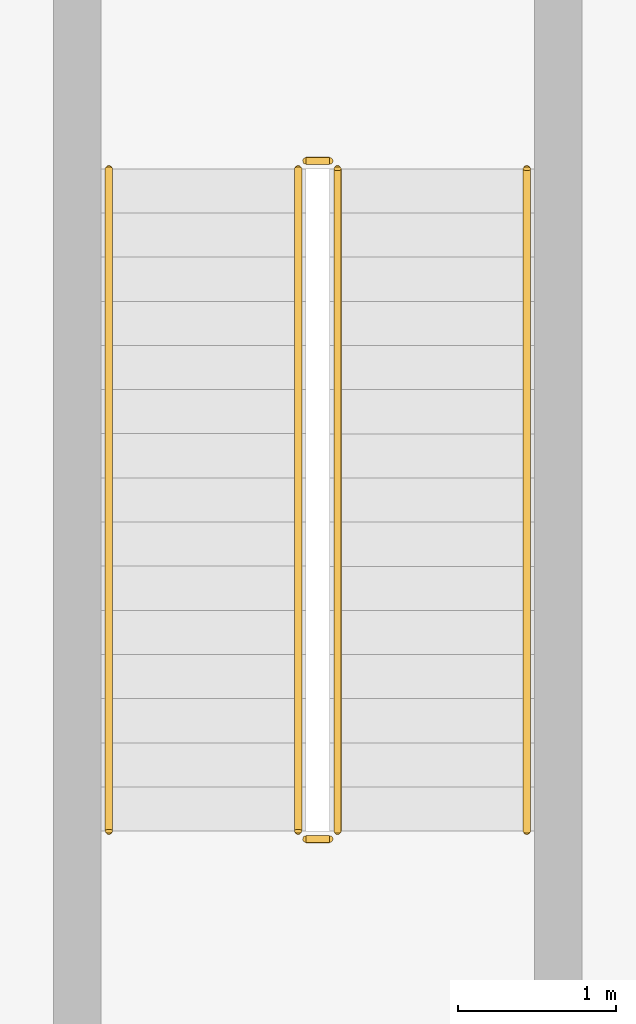
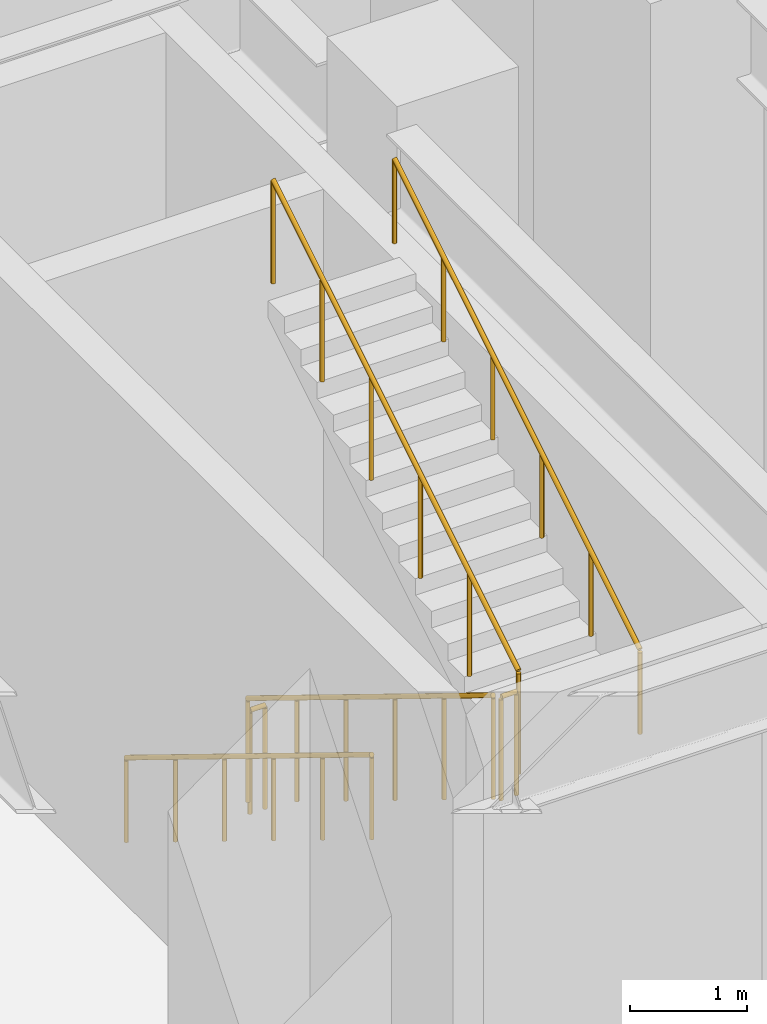
# One storey, part 26 of 30: 6 railings.
"""IFC4 building model written with IfcOpenShell, lengths in metres."""

from ifc_helpers import new_model, si_unit, direction, frame, origin, origin_2d, place, context, subcontext, project, spatial, circle, extrude, material, type_object, element, save


model = new_model("IFC4")

# Units and contexts
model_context = context("Model", 3, precision=1e-05, world=origin(), true_north=direction((0.0, 1.0)))
body_context = subcontext(model_context, "Body", "Model", "MODEL_VIEW")
ifc_project = project(units=[si_unit("LENGTHUNIT", "METRE"), si_unit("AREAUNIT", "SQUARE_METRE"), si_unit("VOLUMEUNIT", "CUBIC_METRE"), si_unit("PLANEANGLEUNIT", "RADIAN"), si_unit("MASSUNIT", "GRAM", prefix="KILO")], contexts=[model_context])

# Site, building, storey
site_placement = place(None, origin())
site = spatial("IfcSite", under=ifc_project, at=site_placement, CompositionType="ELEMENT")
building_placement = place(site_placement, origin())
building = spatial("IfcBuilding", under=site, at=building_placement, Name="Aloe Facet Convention Tower", CompositionType="ELEMENT")
storey_placement = place(building_placement, frame((0.0, 0.0, 19.5)))
storey = spatial("IfcBuildingStorey", under=building, at=storey_placement, Name="L03", CompositionType="ELEMENT", Elevation=19.5)

# Railings
ifc_material_1 = material(Name="Steel S355 balustrade", Category="steel")
railing_type_1 = type_object("IfcRailingType", Name="CR-RL-GUARD", PredefinedType="GUARDRAIL", material=ifc_material_1)
railing_1_placement = place(storey_placement, frame((73.875, 89.10009765625, 0.171875)))
element("IfcRailing", 1, at=railing_1_placement, inside=storey, type_object=railing_type_1, Name="L03 ST4 stair guard 1", PredefinedType="GUARDRAIL", context=body_context, shape_type="SweptSolid", body=[
    extrude(circle(Radius=0.02392578125, at=origin_2d()), frame((0.0, 0.0, 1.076171875), z_axis=(0.0, -0.852256472501, 0.523124177495), x_axis=(1.0, 0.0, 0.0)), (0.0, 0.0, 1.0), 4.92822265625),
    extrude(circle(Radius=0.02099609375, at=origin_2d()), origin(), (0.0, 0.0, 1.0), 1.052001953125),
    extrude(circle(Radius=0.02099609375, at=origin_2d()), frame((0.0, -0.840087890625, 0.515625)), (0.0, 0.0, 1.0), 1.052001953125),
    extrude(circle(Radius=0.02099609375, at=origin_2d()), frame((0.0, -1.68017578125, 1.03125)), (0.0, 0.0, 1.0), 1.052001953125),
    extrude(circle(Radius=0.02099609375, at=origin_2d()), frame((0.0, -2.52001953125, 1.546875)), (0.0, 0.0, 1.0), 1.052001953125),
    extrude(circle(Radius=0.02099609375, at=origin_2d()), frame((0.0, -3.360107421875, 2.0625)), (0.0, 0.0, 1.0), 1.052001953125),
    extrude(circle(Radius=0.02099609375, at=origin_2d()), frame((0.0, -4.2001953125, 2.578125)), (0.0, 0.0, 1.0), 1.052001953125),
])
railing_2_placement = place(storey_placement, frame((73.925048828125, 84.85009765625, 2.75)))
element("IfcRailing", 2, at=railing_2_placement, inside=storey, type_object=railing_type_1, Name="L03 ST4 stair guard 2", PredefinedType="GUARDRAIL", context=body_context, shape_type="SweptSolid", body=[
    extrude(circle(Radius=0.02392578125, at=origin_2d()), frame((0.0, 0.0, 1.076171875), z_axis=(1.0, 0.0, 0.0), x_axis=(0.0, 1.0, 0.0)), (0.0, 0.0, 1.0), 0.14990234375),
    extrude(circle(Radius=0.02099609375, at=origin_2d()), origin(), (0.0, 0.0, 1.0), 1.052001953125),
    extrude(circle(Radius=0.02099609375, at=origin_2d()), frame((0.14990234375, 0.0, 0.0)), (0.0, 0.0, 1.0), 1.052001953125),
])
railing_3_placement = place(storey_placement, frame((74.125, 84.89990234375, 2.921875)))
element("IfcRailing", 3, at=railing_3_placement, inside=storey, type_object=railing_type_1, Name="L03 ST4 stair guard 3", PredefinedType="GUARDRAIL", context=body_context, shape_type="SweptSolid", body=[
    extrude(circle(Radius=0.02392578125, at=origin_2d()), frame((0.0, 0.0, 1.076171875), z_axis=(0.0, 0.852256472501, 0.523124177495), x_axis=(-1.0, 0.0, 0.0)), (0.0, 0.0, 1.0), 4.92822265625),
    extrude(circle(Radius=0.02099609375, at=origin_2d()), origin(), (0.0, 0.0, 1.0), 1.052001953125),
    extrude(circle(Radius=0.02099609375, at=origin_2d()), frame((0.0, 0.840087890625, 0.515625)), (0.0, 0.0, 1.0), 1.052001953125),
    extrude(circle(Radius=0.02099609375, at=origin_2d()), frame((0.0, 1.68017578125, 1.03125)), (0.0, 0.0, 1.0), 1.052001953125),
    extrude(circle(Radius=0.02099609375, at=origin_2d()), frame((0.0, 2.52001953125, 1.546875)), (0.0, 0.0, 1.0), 1.052001953125),
    extrude(circle(Radius=0.02099609375, at=origin_2d()), frame((0.0, 3.360107421875, 2.0625)), (0.0, 0.0, 1.0), 1.052001953125),
    extrude(circle(Radius=0.02099609375, at=origin_2d()), frame((0.0, 4.2001953125, 2.578125)), (0.0, 0.0, 1.0), 1.052001953125),
])
railing_4_placement = place(storey_placement, frame((73.925048828125, 89.14990234375, 0.0)))
element("IfcRailing", 4, at=railing_4_placement, inside=storey, type_object=railing_type_1, Name="L03 ST4 stair guard 4", PredefinedType="GUARDRAIL", context=body_context, shape_type="SweptSolid", body=[
    extrude(circle(Radius=0.02392578125, at=origin_2d()), frame((0.0, 0.0, 1.076171875), z_axis=(1.0, 0.0, 0.0), x_axis=(0.0, 1.0, 0.0)), (0.0, 0.0, 1.0), 0.14990234375),
    extrude(circle(Radius=0.02099609375, at=origin_2d()), origin(), (0.0, 0.0, 1.0), 1.052001953125),
    extrude(circle(Radius=0.02099609375, at=origin_2d()), frame((0.14990234375, 0.0, 0.0)), (0.0, 0.0, 1.0), 1.052001953125),
])
ifc_material_2 = material(Name="Steel S355 handrail", Category="steel")
railing_type_2 = type_object("IfcRailingType", Name="CR-RL-HAND", PredefinedType="HANDRAIL", material=ifc_material_2)
railing_5_placement = place(storey_placement, frame((72.675048828125, 89.10009765625, 0.171875)))
element("IfcRailing", 5, at=railing_5_placement, inside=storey, type_object=railing_type_2, Name="L03 ST4 stair handrail 1", PredefinedType="HANDRAIL", context=body_context, shape_type="SweptSolid", body=[
    extrude(circle(Radius=0.02392578125, at=origin_2d()), frame((0.0, 0.0, 0.8759765625), z_axis=(0.0, -0.852256472501, 0.523124177495), x_axis=(1.0, 0.0, 0.0)), (0.0, 0.0, 1.0), 4.92822265625),
    extrude(circle(Radius=0.02099609375, at=origin_2d()), origin(), (0.0, 0.0, 1.0), 0.851806640625),
    extrude(circle(Radius=0.02099609375, at=origin_2d()), frame((0.0, -0.840087890625, 0.515625)), (0.0, 0.0, 1.0), 0.851806640625),
    extrude(circle(Radius=0.02099609375, at=origin_2d()), frame((0.0, -1.68017578125, 1.03125)), (0.0, 0.0, 1.0), 0.851806640625),
    extrude(circle(Radius=0.02099609375, at=origin_2d()), frame((0.0, -2.52001953125, 1.546875)), (0.0, 0.0, 1.0), 0.851806640625),
    extrude(circle(Radius=0.02099609375, at=origin_2d()), frame((0.0, -3.360107421875, 2.0625)), (0.0, 0.0, 1.0), 0.851806640625),
    extrude(circle(Radius=0.02099609375, at=origin_2d()), frame((0.0, -4.2001953125, 2.578125)), (0.0, 0.0, 1.0), 0.851806640625),
])
railing_6_placement = place(storey_placement, frame((75.324951171875, 84.89990234375, 2.921875)))
element("IfcRailing", 6, at=railing_6_placement, inside=storey, type_object=railing_type_2, Name="L03 ST4 stair handrail 2", PredefinedType="HANDRAIL", context=body_context, shape_type="SweptSolid", body=[
    extrude(circle(Radius=0.02392578125, at=origin_2d()), frame((0.0, 0.0, 0.8759765625), z_axis=(0.0, 0.852256472501, 0.523124177495), x_axis=(-1.0, 0.0, 0.0)), (0.0, 0.0, 1.0), 4.92822265625),
    extrude(circle(Radius=0.02099609375, at=origin_2d()), origin(), (0.0, 0.0, 1.0), 0.851806640625),
    extrude(circle(Radius=0.02099609375, at=origin_2d()), frame((0.0, 0.840087890625, 0.515625)), (0.0, 0.0, 1.0), 0.851806640625),
    extrude(circle(Radius=0.02099609375, at=origin_2d()), frame((0.0, 1.68017578125, 1.03125)), (0.0, 0.0, 1.0), 0.851806640625),
    extrude(circle(Radius=0.02099609375, at=origin_2d()), frame((0.0, 2.52001953125, 1.546875)), (0.0, 0.0, 1.0), 0.851806640625),
    extrude(circle(Radius=0.02099609375, at=origin_2d()), frame((0.0, 3.360107421875, 2.0625)), (0.0, 0.0, 1.0), 0.851806640625),
    extrude(circle(Radius=0.02099609375, at=origin_2d()), frame((0.0, 4.2001953125, 2.578125)), (0.0, 0.0, 1.0), 0.851806640625),
])

save(model, "model.ifc")
